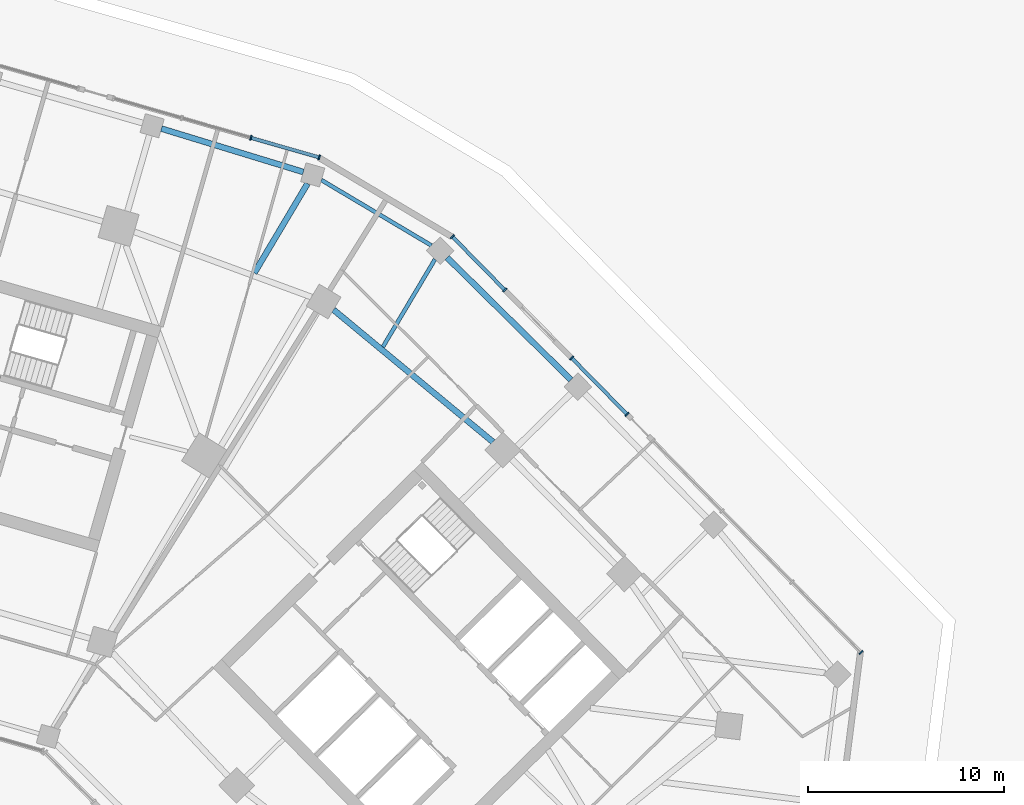
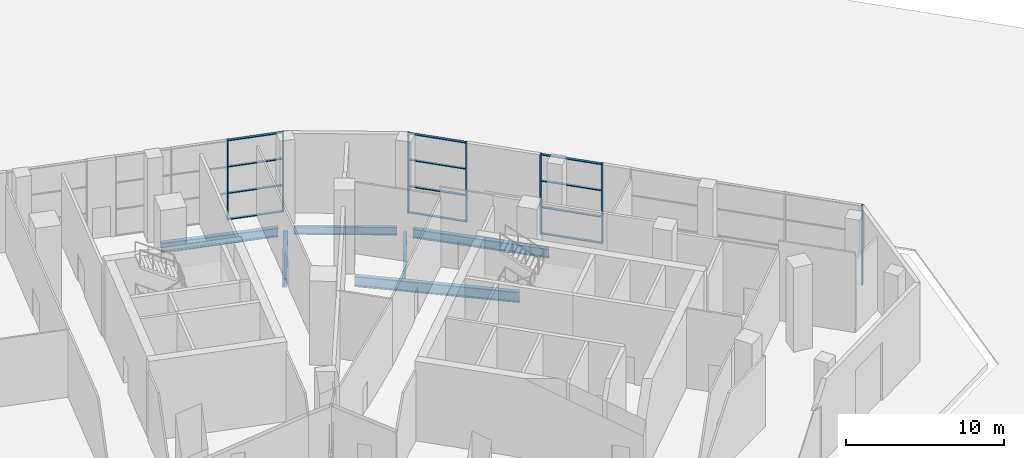
# One storey, part 9 of 22: 19 members, 6 beams, 4 elements without a shape of their own.
"""IFC4 building model written with IfcOpenShell, lengths in metres."""

from ifc_helpers import new_model, si_unit, direction, frame, origin, origin_2d, place, context, subcontext, project, spatial, rectangle, i_section, extrude, material, material_profile, profile_set, type_object, element, aggregate, save


model = new_model("IFC4")

# Units and contexts
model_context = context("Model", 3, precision=1e-05, world=origin(), true_north=direction((0.0, 1.0)))
body_context = subcontext(model_context, "Body", "Model", "MODEL_VIEW")
ifc_project = project(units=[si_unit("LENGTHUNIT", "METRE"), si_unit("AREAUNIT", "SQUARE_METRE"), si_unit("VOLUMEUNIT", "CUBIC_METRE"), si_unit("PLANEANGLEUNIT", "RADIAN"), si_unit("MASSUNIT", "GRAM", prefix="KILO")], contexts=[model_context])

# Site, building, storey
site_placement = place(None, origin())
site = spatial("IfcSite", under=ifc_project, at=site_placement, CompositionType="ELEMENT")
building_placement = place(site_placement, origin())
building = spatial("IfcBuilding", under=site, at=building_placement, Name="Binnacle Exchange Tower", CompositionType="ELEMENT")
storey_placement = place(building_placement, origin())
storey = spatial("IfcBuildingStorey", under=building, at=storey_placement, Name="L00", CompositionType="ELEMENT", Elevation=0.0)

# Curtain wall, members
ifc_material_1 = material(Name="Bronze anodised aluminium frame", Category="aluminium")
curtain_wall_type = type_object("IfcCurtainWallType", Name="External wall - curtain wall north entrance", PredefinedType="NOTDEFINED", material=ifc_material_1)
curtain_wall_1_placement = place(storey_placement, origin())
curtain_wall_1 = element("IfcCurtainWall", 1, at=curtain_wall_1_placement, inside=storey, type_object=curtain_wall_type, Name="External wall curtain wall CW2-P00-1 L00", PredefinedType="NOTDEFINED")
ifc_material_profile_1 = material_profile(ifc_material_1, rectangle(XDim=0.25, YDim=0.080078125, at=origin_2d()), Name="AL 80x250")
ifc_profile_set_1 = profile_set([ifc_material_profile_1], Name="Bronze anodised aluminium frame")
member_type_1 = type_object("IfcMemberType", Name="CW2 MULLION 80x250", PredefinedType="MULLION", material=ifc_profile_set_1)
member_1_placement = place(storey_placement, frame((36.861572265625, 66.631591796875, 0.0), z_axis=(0.0, 0.0, 1.0), x_axis=(-0.275636946471, -0.961261813316, 0.0)))
member_1 = element("IfcMember", 2, at=member_1_placement, type_object=member_type_1, Name="CW2-P00-1 mullion 1", PredefinedType="MULLION", context=body_context, shape_type="SweptSolid", body=[
    extrude(rectangle(XDim=0.25, YDim=0.080078125, at=origin_2d()), origin(), (0.0, 0.0, 1.0), 6.14990234375),
])
member_2_placement = place(storey_placement, frame((33.368896484375, 67.633056640625, 0.0), z_axis=(0.0, 0.0, 1.0), x_axis=(-0.275636946471, -0.961261813316, 0.0)))
member_2 = element("IfcMember", 3, at=member_2_placement, type_object=member_type_1, Name="CW2-P00-1 mullion 2", PredefinedType="MULLION", context=body_context, shape_type="SweptSolid", body=[
    extrude(rectangle(XDim=0.25, YDim=0.080078125, at=origin_2d()), origin(), (0.0, 0.0, 1.0), 6.14990234375),
])

# Curtain wall, member
curtain_wall_2_placement = place(storey_placement, origin())
curtain_wall_2 = element("IfcCurtainWall", 4, at=curtain_wall_2_placement, inside=storey, type_object=curtain_wall_type, Name="External wall curtain wall CW2-P12-1 L00", PredefinedType="NOTDEFINED")
member_3_placement = place(storey_placement, frame((64.565673828125, 41.31640625, 0.0), z_axis=(0.0, 0.0, 1.0), x_axis=(-0.713250360623, -0.70090935439, 0.0)))
member_3 = element("IfcMember", 5, at=member_3_placement, type_object=member_type_1, Name="CW2-P12-1 mullion 1", PredefinedType="MULLION", context=body_context, shape_type="SweptSolid", body=[
    extrude(rectangle(XDim=0.25, YDim=0.080078125, at=origin_2d()), origin(), (0.0, 0.0, 1.0), 6.14990234375),
])
aggregate(curtain_wall_2, [member_3])

# Curtain wall, members
curtain_wall_3_placement = place(storey_placement, origin())
curtain_wall_3 = element("IfcCurtainWall", 6, at=curtain_wall_3_placement, inside=storey, type_object=curtain_wall_type, Name="External wall curtain wall CW2-P12-2 L00", PredefinedType="NOTDEFINED")
member_4_placement = place(storey_placement, frame((52.5986328125, 53.494384765625, 0.0), z_axis=(0.0, 0.0, 1.0), x_axis=(-0.71325036061, -0.700909354403, 0.0)))
member_4 = element("IfcMember", 7, at=member_4_placement, type_object=member_type_1, Name="CW2-P12-2 mullion 1", PredefinedType="MULLION", context=body_context, shape_type="SweptSolid", body=[
    extrude(rectangle(XDim=0.25, YDim=0.080078125, at=origin_2d()), origin(), (0.0, 0.0, 1.0), 6.14990234375),
])
member_5_placement = place(storey_placement, frame((49.765380859375, 56.37744140625, 0.0), z_axis=(0.0, 0.0, 1.0), x_axis=(-0.71325036061, -0.700909354403, 0.0)))
member_5 = element("IfcMember", 8, at=member_5_placement, type_object=member_type_1, Name="CW2-P12-2 mullion 2", PredefinedType="MULLION", context=body_context, shape_type="SweptSolid", body=[
    extrude(rectangle(XDim=0.25, YDim=0.080078125, at=origin_2d()), origin(), (0.0, 0.0, 1.0), 6.14990234375),
])

curtain_wall_4_placement = place(storey_placement, origin())
curtain_wall_4 = element("IfcCurtainWall", 9, at=curtain_wall_4_placement, inside=storey, type_object=curtain_wall_type, Name="External wall curtain wall CW2-P12-3 L00", PredefinedType="NOTDEFINED")
member_6_placement = place(storey_placement, frame((46.344970703125, 59.85791015625, 0.0), z_axis=(0.0, 0.0, 1.0), x_axis=(-0.713250360623, -0.70090935439, 0.0)))
member_6 = element("IfcMember", 10, at=member_6_placement, type_object=member_type_1, Name="CW2-P12-3 mullion 1", PredefinedType="MULLION", context=body_context, shape_type="SweptSolid", body=[
    extrude(rectangle(XDim=0.25, YDim=0.080078125, at=origin_2d()), origin(), (0.0, 0.0, 1.0), 6.14990234375),
])
member_7_placement = place(storey_placement, frame((43.667724609375, 62.582275390625, 0.0), z_axis=(0.0, 0.0, 1.0), x_axis=(-0.713250360623, -0.70090935439, 0.0)))
member_7 = element("IfcMember", 11, at=member_7_placement, type_object=member_type_1, Name="CW2-P12-3 mullion 2", PredefinedType="MULLION", context=body_context, shape_type="SweptSolid", body=[
    extrude(rectangle(XDim=0.25, YDim=0.080078125, at=origin_2d()), origin(), (0.0, 0.0, 1.0), 6.14990234375),
])

# Member
ifc_material_profile_2 = material_profile(ifc_material_1, rectangle(XDim=0.179931640625, YDim=0.06005859375, at=origin_2d()), Name="AL 180x60")
ifc_profile_set_2 = profile_set([ifc_material_profile_2], Name="Bronze anodised aluminium frame")
member_type_2 = type_object("IfcMemberType", Name="CW2 TRANSOM 60x180", PredefinedType="USERDEFINED", material=ifc_profile_set_2)
member_8_placement = place(storey_placement, frame((36.8232421875, 66.642578125, 0.030029296875), z_axis=(-0.961264270482, 0.275628377157, 0.0), x_axis=(-0.275628377157, -0.961264270482, 0.0)))
member_8 = element("IfcMember", 12, at=member_8_placement, type_object=member_type_2, Name="CW2-P00-1 transom 1.1", ObjectType="TRANSOM", PredefinedType="USERDEFINED", context=body_context, shape_type="SweptSolid", body=[
    extrude(rectangle(XDim=0.179931640625, YDim=0.06005859375, at=origin_2d()), origin(), (0.0, 0.0, 1.0), 3.5537109375),
])

member_9_placement = place(storey_placement, frame((36.8232421875, 66.642578125, 2.050048828125), z_axis=(-0.961264270482, 0.275628377157, 0.0), x_axis=(-0.275628377157, -0.961264270482, 0.0)))
member_9 = element("IfcMember", 13, at=member_9_placement, type_object=member_type_2, Name="CW2-P00-1 transom 1.2", ObjectType="TRANSOM", PredefinedType="USERDEFINED", context=body_context, shape_type="SweptSolid", body=[
    extrude(rectangle(XDim=0.179931640625, YDim=0.06005859375, at=origin_2d()), origin(), (0.0, 0.0, 1.0), 3.5537109375),
])

member_10_placement = place(storey_placement, frame((36.8232421875, 66.642578125, 4.10009765625), z_axis=(-0.961264270482, 0.275628377157, 0.0), x_axis=(-0.275628377157, -0.961264270482, 0.0)))
member_10 = element("IfcMember", 14, at=member_10_placement, type_object=member_type_2, Name="CW2-P00-1 transom 1.3", ObjectType="TRANSOM", PredefinedType="USERDEFINED", context=body_context, shape_type="SweptSolid", body=[
    extrude(rectangle(XDim=0.179931640625, YDim=0.06005859375, at=origin_2d()), origin(), (0.0, 0.0, 1.0), 3.5537109375),
])

member_11_placement = place(storey_placement, frame((36.8232421875, 66.642578125, 6.1201171875), z_axis=(-0.961264270482, 0.275628377157, 0.0), x_axis=(-0.275628377157, -0.961264270482, 0.0)))
member_11 = element("IfcMember", 15, at=member_11_placement, type_object=member_type_2, Name="CW2-P00-1 transom 1.4", ObjectType="TRANSOM", PredefinedType="USERDEFINED", context=body_context, shape_type="SweptSolid", body=[
    extrude(rectangle(XDim=0.179931640625, YDim=0.06005859375, at=origin_2d()), origin(), (0.0, 0.0, 1.0), 3.5537109375),
])

aggregate(curtain_wall_1, [member_1, member_2, member_8, member_9, member_10, member_11])

member_12_placement = place(storey_placement, frame((52.570556640625, 53.52294921875, 0.030029296875), z_axis=(-0.700918015764, 0.713241849008, 0.0), x_axis=(-0.713241849008, -0.700918015764, 0.0)))
member_12 = element("IfcMember", 16, at=member_12_placement, type_object=member_type_2, Name="CW2-P12-2 transom 1.1", ObjectType="TRANSOM", PredefinedType="USERDEFINED", context=body_context, shape_type="SweptSolid", body=[
    extrude(rectangle(XDim=0.179931640625, YDim=0.06005859375, at=origin_2d()), origin(), (0.0, 0.0, 1.0), 3.962158203125),
])

member_13_placement = place(storey_placement, frame((52.570556640625, 53.52294921875, 2.050048828125), z_axis=(-0.700918015764, 0.713241849008, 0.0), x_axis=(-0.713241849008, -0.700918015764, 0.0)))
member_13 = element("IfcMember", 17, at=member_13_placement, type_object=member_type_2, Name="CW2-P12-2 transom 1.2", ObjectType="TRANSOM", PredefinedType="USERDEFINED", context=body_context, shape_type="SweptSolid", body=[
    extrude(rectangle(XDim=0.179931640625, YDim=0.06005859375, at=origin_2d()), origin(), (0.0, 0.0, 1.0), 3.962158203125),
])

member_14_placement = place(storey_placement, frame((52.570556640625, 53.52294921875, 4.10009765625), z_axis=(-0.700918015764, 0.713241849008, 0.0), x_axis=(-0.713241849008, -0.700918015764, 0.0)))
member_14 = element("IfcMember", 18, at=member_14_placement, type_object=member_type_2, Name="CW2-P12-2 transom 1.3", ObjectType="TRANSOM", PredefinedType="USERDEFINED", context=body_context, shape_type="SweptSolid", body=[
    extrude(rectangle(XDim=0.179931640625, YDim=0.06005859375, at=origin_2d()), origin(), (0.0, 0.0, 1.0), 3.962158203125),
])

member_15_placement = place(storey_placement, frame((52.570556640625, 53.52294921875, 6.1201171875), z_axis=(-0.700918015764, 0.713241849008, 0.0), x_axis=(-0.713241849008, -0.700918015764, 0.0)))
member_15 = element("IfcMember", 19, at=member_15_placement, type_object=member_type_2, Name="CW2-P12-2 transom 1.4", ObjectType="TRANSOM", PredefinedType="USERDEFINED", context=body_context, shape_type="SweptSolid", body=[
    extrude(rectangle(XDim=0.179931640625, YDim=0.06005859375, at=origin_2d()), origin(), (0.0, 0.0, 1.0), 3.962158203125),
])

aggregate(curtain_wall_3, [member_4, member_5, member_12, member_13, member_14, member_15])

member_16_placement = place(storey_placement, frame((46.31689453125, 59.886474609375, 0.030029296875), z_axis=(-0.700910340406, 0.713249391666, 0.0), x_axis=(-0.713249391666, -0.700910340406, 0.0)))
member_16 = element("IfcMember", 20, at=member_16_placement, type_object=member_type_2, Name="CW2-P12-3 transom 1.1", ObjectType="TRANSOM", PredefinedType="USERDEFINED", context=body_context, shape_type="SweptSolid", body=[
    extrude(rectangle(XDim=0.179931640625, YDim=0.06005859375, at=origin_2d()), origin(), (0.0, 0.0, 1.0), 3.739501953125),
])

member_17_placement = place(storey_placement, frame((46.31689453125, 59.886474609375, 2.050048828125), z_axis=(-0.700910340406, 0.713249391666, 0.0), x_axis=(-0.713249391666, -0.700910340406, 0.0)))
member_17 = element("IfcMember", 21, at=member_17_placement, type_object=member_type_2, Name="CW2-P12-3 transom 1.2", ObjectType="TRANSOM", PredefinedType="USERDEFINED", context=body_context, shape_type="SweptSolid", body=[
    extrude(rectangle(XDim=0.179931640625, YDim=0.06005859375, at=origin_2d()), origin(), (0.0, 0.0, 1.0), 3.739501953125),
])

member_18_placement = place(storey_placement, frame((46.31689453125, 59.886474609375, 4.10009765625), z_axis=(-0.700910340406, 0.713249391666, 0.0), x_axis=(-0.713249391666, -0.700910340406, 0.0)))
member_18 = element("IfcMember", 22, at=member_18_placement, type_object=member_type_2, Name="CW2-P12-3 transom 1.3", ObjectType="TRANSOM", PredefinedType="USERDEFINED", context=body_context, shape_type="SweptSolid", body=[
    extrude(rectangle(XDim=0.179931640625, YDim=0.06005859375, at=origin_2d()), origin(), (0.0, 0.0, 1.0), 3.739501953125),
])

member_19_placement = place(storey_placement, frame((46.31689453125, 59.886474609375, 6.1201171875), z_axis=(-0.700910340406, 0.713249391666, 0.0), x_axis=(-0.713249391666, -0.700910340406, 0.0)))
member_19 = element("IfcMember", 23, at=member_19_placement, type_object=member_type_2, Name="CW2-P12-3 transom 1.4", ObjectType="TRANSOM", PredefinedType="USERDEFINED", context=body_context, shape_type="SweptSolid", body=[
    extrude(rectangle(XDim=0.179931640625, YDim=0.06005859375, at=origin_2d()), origin(), (0.0, 0.0, 1.0), 3.739501953125),
])

aggregate(curtain_wall_4, [member_6, member_7, member_16, member_17, member_18, member_19])

# Beams
ifc_material_2 = material(Name="Steel S355 (SHN355)", Category="steel")
ifc_material_profile_3 = material_profile(ifc_material_2, i_section(OverallWidth=0.201904296875, OverallDepth=0.612060546875, WebThickness=0.012939453125, FlangeThickness=0.02294921875, FilletRadius=0.02197265625, at=origin_2d()), Name="H 612x202x13x23")
ifc_profile_set_3 = profile_set([ifc_material_profile_3], Name="Steel S355 (SHN355)")
beam_type_1 = type_object("IfcBeamType", Name="Edge girder H 612x202x13x23 Steel S355 (SHN355)", PredefinedType="SPANDREL", material=ifc_profile_set_3)
beam_1_placement = place(storey_placement, frame((36.972412109375, 65.474609375, -0.756103515625), z_axis=(0.859408777726, -0.51128910879, 0.0), x_axis=(0.51128910879, 0.859408777726, 0.0)))
element("IfcBeam", 24, at=beam_1_placement, inside=storey, type_object=beam_type_1, Name="S:BM:edge:L00:063", PredefinedType="SPANDREL", context=body_context, shape_type="SweptSolid", body=[
    extrude(i_section(OverallWidth=0.201904296875, OverallDepth=0.612060546875, WebThickness=0.012939453125, FlangeThickness=0.02294921875, FilletRadius=0.02197265625, at=origin_2d()), origin(), (0.0, 0.0, 1.0), 6.546142578125),
])
ifc_material_profile_4 = material_profile(ifc_material_2, i_section(OverallWidth=0.300048828125, OverallDepth=0.699951171875, WebThickness=0.012939453125, FlangeThickness=0.02392578125, FilletRadius=0.028076171875, at=origin_2d()), Name="H 700x300x13x24")
ifc_profile_set_4 = profile_set([ifc_material_profile_4], Name="Steel S355 (SHN355)")
beam_type_2 = type_object("IfcBeamType", Name="Edge girder H 700x300x13x24 Steel S355 (SHN355)", PredefinedType="SPANDREL", material=ifc_profile_set_4)
beam_2_placement = place(storey_placement, frame((28.794189453125, 68.103515625, -0.800048828125), z_axis=(0.956298600783, -0.292391836653, 0.0), x_axis=(0.292391836653, 0.956298600783, 0.0)))
element("IfcBeam", 25, at=beam_2_placement, inside=storey, type_object=beam_type_2, Name="S:BM:edge:L00:058", PredefinedType="SPANDREL", context=body_context, shape_type="SweptSolid", body=[
    extrude(i_section(OverallWidth=0.300048828125, OverallDepth=0.699951171875, WebThickness=0.012939453125, FlangeThickness=0.02392578125, FilletRadius=0.028076171875, at=origin_2d()), origin(), (0.0, 0.0, 1.0), 7.58740234375),
])
beam_3_placement = place(storey_placement, frame((43.398193359375, 61.51220703125, -0.800048828125), z_axis=(0.711633547042, -0.702550848497, 0.0), x_axis=(0.702550848497, 0.711633547042, 0.0)))
element("IfcBeam", 26, at=beam_3_placement, inside=storey, type_object=beam_type_2, Name="S:BM:edge:L00:065", PredefinedType="SPANDREL", context=body_context, shape_type="SweptSolid", body=[
    extrude(i_section(OverallWidth=0.300048828125, OverallDepth=0.699951171875, WebThickness=0.012939453125, FlangeThickness=0.02392578125, FilletRadius=0.028076171875, at=origin_2d()), origin(), (0.0, 0.0, 1.0), 8.897216796875),
])
ifc_material_profile_5 = material_profile(ifc_material_2, i_section(OverallWidth=0.302001953125, OverallDepth=0.80810546875, WebThickness=0.01611328125, FlangeThickness=0.030029296875, FilletRadius=0.028076171875, at=origin_2d()), Name="H 808x302x16x30")
ifc_profile_set_5 = profile_set([ifc_material_profile_5], Name="Steel S355 (SHN355)")
beam_type_3 = type_object("IfcBeamType", Name="Edge girder H 808x302x16x30 Steel S355 (SHN355)", PredefinedType="SPANDREL", material=ifc_profile_set_5)
beam_4_placement = place(storey_placement, frame((45.7451171875, 52.084228515625, -0.85400390625), z_axis=(-0.769906025895, 0.638157277864, 0.0), x_axis=(-0.638157277864, -0.769906025895, 0.0)))
element("IfcBeam", 27, at=beam_4_placement, inside=storey, type_object=beam_type_3, Name="S:BM:edge:L00:067", PredefinedType="SPANDREL", context=body_context, shape_type="SweptSolid", body=[
    extrude(i_section(OverallWidth=0.302001953125, OverallDepth=0.80810546875, WebThickness=0.01611328125, FlangeThickness=0.030029296875, FilletRadius=0.028076171875, at=origin_2d()), origin(), (0.0, 0.0, 1.0), 10.59033203125),
])
ifc_material_profile_6 = material_profile(ifc_material_2, i_section(OverallWidth=0.201904296875, OverallDepth=0.612060546875, WebThickness=0.012939453125, FlangeThickness=0.02294921875, FilletRadius=0.02197265625, at=origin_2d()), Name="H 612x202x13x23")
ifc_profile_set_6 = profile_set([ifc_material_profile_6], Name="Steel S355 (SHN355)")
beam_type_4 = type_object("IfcBeamType", Name="Floor beam H 612x202x13x23 Steel S355 (SHN355)", PredefinedType="BEAM", material=ifc_profile_set_6)
beam_5_placement = place(storey_placement, frame((42.778076171875, 61.419189453125, -0.756103515625), z_axis=(-0.511272874429, -0.859418435847, 0.0), x_axis=(0.859418435847, -0.511272874429, 0.0)))
element("IfcBeam", 28, at=beam_5_placement, inside=storey, type_object=beam_type_4, Name="S:BM:cross:L00:119", PredefinedType="BEAM", context=body_context, shape_type="SweptSolid", body=[
    extrude(i_section(OverallWidth=0.201904296875, OverallDepth=0.612060546875, WebThickness=0.012939453125, FlangeThickness=0.02294921875, FilletRadius=0.02197265625, at=origin_2d()), origin(), (0.0, 0.0, 1.0), 5.208251953125),
])
ifc_material_profile_7 = material_profile(ifc_material_2, i_section(OverallWidth=0.300048828125, OverallDepth=0.699951171875, WebThickness=0.012939453125, FlangeThickness=0.02392578125, FilletRadius=0.028076171875, at=origin_2d()), Name="H 700x300x13x24")
ifc_profile_set_7 = profile_set([ifc_material_profile_7], Name="Steel S355 (SHN355)")
beam_type_5 = type_object("IfcBeamType", Name="Floor beam H 700x300x13x24 Steel S355 (SHN355)", PredefinedType="BEAM", material=ifc_profile_set_7)
beam_6_placement = place(storey_placement, frame((36.263916015625, 65.294677734375, -0.800048828125), z_axis=(-0.511292595627, -0.859406703288, 0.0), x_axis=(0.859406703288, -0.511292595627, 0.0)))
element("IfcBeam", 29, at=beam_6_placement, inside=storey, type_object=beam_type_5, Name="S:BM:cross:L00:115", PredefinedType="BEAM", context=body_context, shape_type="SweptSolid", body=[
    extrude(i_section(OverallWidth=0.300048828125, OverallDepth=0.699951171875, WebThickness=0.012939453125, FlangeThickness=0.02392578125, FilletRadius=0.028076171875, at=origin_2d()), origin(), (0.0, 0.0, 1.0), 5.31884765625),
])

save(model, "model.ifc")
